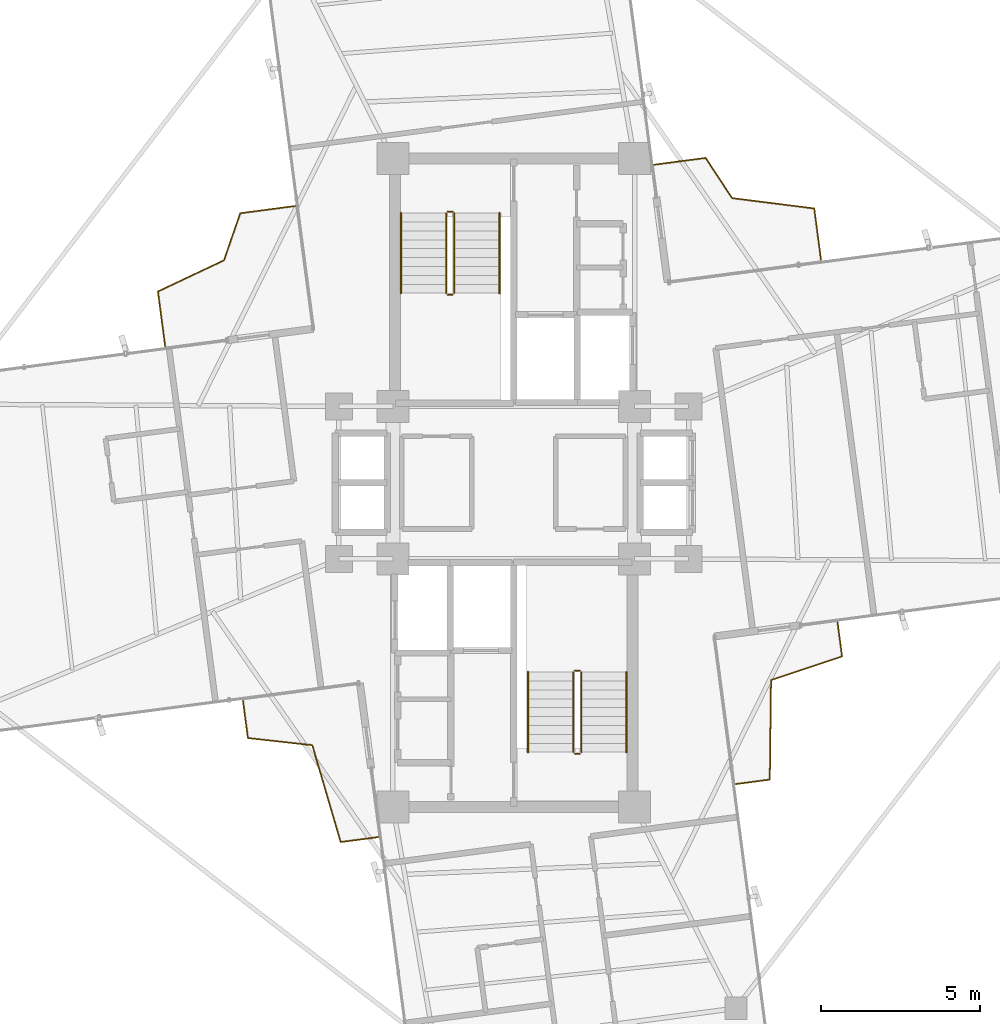
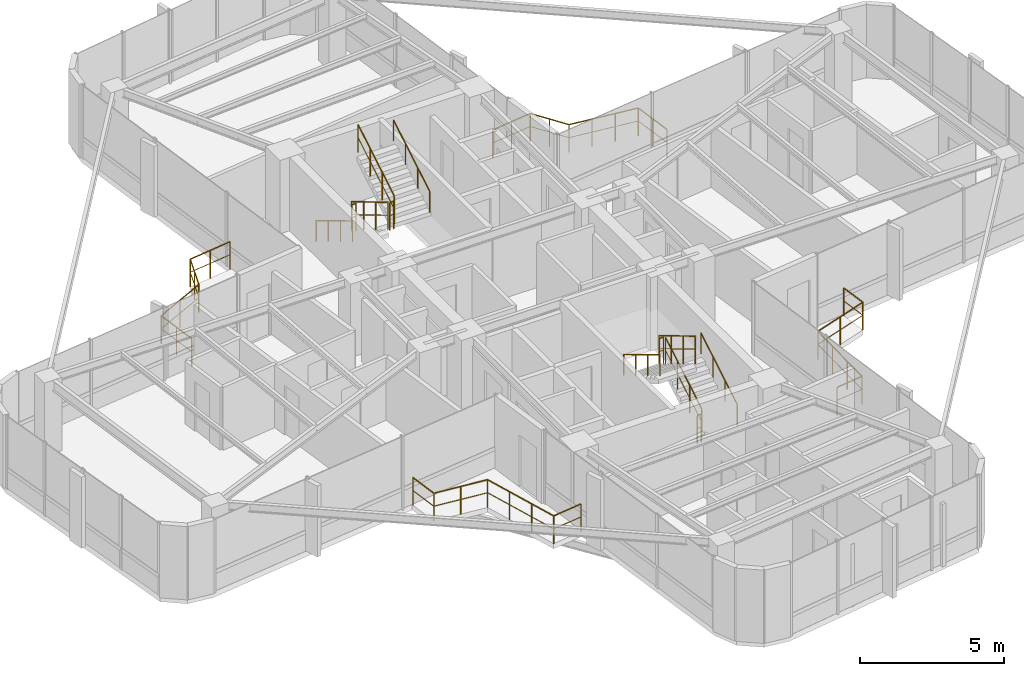
# One storey, part 22 of 22: 16 railings.
"""IFC4 building model written with IfcOpenShell, lengths in metres."""

from ifc_helpers import new_model, si_unit, direction, frame, origin, origin_2d, place, context, subcontext, project, spatial, circle, extrude, material, type_object, element, save


model = new_model("IFC4")

# Units and contexts
model_context = context("Model", 3, precision=1e-05, world=origin(), true_north=direction((0.0, 1.0)))
body_context = subcontext(model_context, "Body", "Model", "MODEL_VIEW")
ifc_project = project(units=[si_unit("LENGTHUNIT", "METRE"), si_unit("AREAUNIT", "SQUARE_METRE"), si_unit("VOLUMEUNIT", "CUBIC_METRE"), si_unit("PLANEANGLEUNIT", "RADIAN"), si_unit("MASSUNIT", "GRAM", prefix="KILO")], contexts=[model_context])

# Site, building, storey
site_placement = place(None, origin())
site = spatial("IfcSite", under=ifc_project, at=site_placement, CompositionType="ELEMENT")
building_placement = place(site_placement, origin())
building = spatial("IfcBuilding", under=site, at=building_placement, Name="Sahyath Konkavel Grand Hotel", CompositionType="ELEMENT")
storey_placement = place(building_placement, frame((0.0, 0.0, 241.14990234375)))
storey = spatial("IfcBuildingStorey", under=building, at=storey_placement, Name="L67", CompositionType="ELEMENT", Elevation=241.14990234375)

# Railings
ifc_material_1 = material(Name="Anodised Bronze Aluminium", Category="aluminium")
railing_type_1 = type_object("IfcRailingType", Name="RLG-BALC-1200", PredefinedType="GUARDRAIL", material=ifc_material_1)
railing_1_placement = place(storey_placement, frame((9.668701171875, 7.0029296875, 0.0)))
element("IfcRailing", 1, at=railing_1_placement, inside=storey, type_object=railing_type_1, Name="L67 Winter-Garden Guard NE", PredefinedType="GUARDRAIL", context=body_context, shape_type="SweptSolid", body=[
    extrude(circle(Radius=0.02392578125, at=origin_2d()), frame((-0.000244140625, 0.001953125, 1.17578125), z_axis=(-0.130523890002, 0.991445164464, 0.0), x_axis=(-0.991445164464, -0.130523890002, 0.0)), (0.0, 0.0, 1.0), 1.634521484375),
    extrude(circle(Radius=0.01416015625, at=origin_2d()), frame((-0.000244140625, 0.001953125, 0.6240234375), z_axis=(-0.130523890002, 0.991445164464, 0.0), x_axis=(-0.991445164464, -0.130523890002, 0.0)), (0.0, 0.0, 1.0), 1.634521484375),
    extrude(circle(Radius=0.02392578125, at=origin_2d()), frame((-0.2158203125, 1.624755859375, 1.17578125), z_axis=(-0.992143214765, 0.125107319516, 0.0), x_axis=(-0.125107319516, -0.992143214765, 0.0)), (0.0, 0.0, 1.0), 2.60107421875),
    extrude(circle(Radius=0.01416015625, at=origin_2d()), frame((-0.2158203125, 1.624755859375, 0.6240234375), z_axis=(-0.992143214765, 0.125107319516, 0.0), x_axis=(-0.125107319516, -0.992143214765, 0.0)), (0.0, 0.0, 1.0), 2.60107421875),
    extrude(circle(Radius=0.02392578125, at=origin_2d()), frame((-2.7998046875, 1.9521484375, 1.17578125), z_axis=(-0.550001545272, 0.835163636779, 0.0), x_axis=(-0.835163636779, -0.550001545272, 0.0)), (0.0, 0.0, 1.0), 1.509765625),
    extrude(circle(Radius=0.01416015625, at=origin_2d()), frame((-2.7998046875, 1.9521484375, 0.6240234375), z_axis=(-0.550001545272, 0.835163636779, 0.0), x_axis=(-0.835163636779, -0.550001545272, 0.0)), (0.0, 0.0, 1.0), 1.509765625),
    extrude(circle(Radius=0.02392578125, at=origin_2d()), frame((-3.633056640625, 3.21435546875, 1.17578125), z_axis=(-0.991445164464, -0.130523890002, 0.0), x_axis=(0.130523890002, -0.991445164464, 0.0)), (0.0, 0.0, 1.0), 1.634521484375),
    extrude(circle(Radius=0.01416015625, at=origin_2d()), frame((-3.633056640625, 3.21435546875, 0.6240234375), z_axis=(-0.991445164464, -0.130523890002, 0.0), x_axis=(0.130523890002, -0.991445164464, 0.0)), (0.0, 0.0, 1.0), 1.634521484375),
    extrude(circle(Radius=0.02099609375, at=origin_2d()), origin(), (0.0, 0.0, 1.0), 1.15185546875),
    extrude(circle(Radius=0.02099609375, at=origin_2d()), frame((-0.10693359375, 0.812255859375, 0.0)), (0.0, 0.0, 1.0), 1.15185546875),
    extrude(circle(Radius=0.02099609375, at=origin_2d()), frame((-0.2138671875, 1.62451171875, 0.0)), (0.0, 0.0, 1.0), 1.15185546875),
    extrude(circle(Radius=0.02099609375, at=origin_2d()), frame((-1.075439453125, 1.733154296875, 0.0)), (0.0, 0.0, 1.0), 1.15185546875),
    extrude(circle(Radius=0.02099609375, at=origin_2d()), frame((-1.93701171875, 1.841796875, 0.0)), (0.0, 0.0, 1.0), 1.15185546875),
    extrude(circle(Radius=0.02099609375, at=origin_2d()), frame((-2.798583984375, 1.950439453125, 0.0)), (0.0, 0.0, 1.0), 1.15185546875),
    extrude(circle(Radius=0.02099609375, at=origin_2d()), frame((-3.21484375, 2.58251953125, 0.0)), (0.0, 0.0, 1.0), 1.15185546875),
    extrude(circle(Radius=0.02099609375, at=origin_2d()), frame((-3.631103515625, 3.214599609375, 0.0)), (0.0, 0.0, 1.0), 1.15185546875),
    extrude(circle(Radius=0.02099609375, at=origin_2d()), frame((-4.443359375, 3.107666015625, 0.0)), (0.0, 0.0, 1.0), 1.15185546875),
    extrude(circle(Radius=0.02099609375, at=origin_2d()), frame((-5.255615234375, 3.000732421875, 0.0)), (0.0, 0.0, 1.0), 1.15185546875),
])
railing_2_placement = place(storey_placement, frame((-6.8759765625, 8.705078125, 0.0)))
element("IfcRailing", 2, at=railing_2_placement, inside=storey, type_object=railing_type_1, Name="L67 Winter-Garden Guard NW", PredefinedType="GUARDRAIL", context=body_context, shape_type="SweptSolid", body=[
    extrude(circle(Radius=0.02392578125, at=origin_2d()), frame((-0.001953125, -0.000244140625, 1.17578125), z_axis=(-0.9914309283, -0.130631980808, 0.0), x_axis=(0.130631980808, -0.9914309283, 0.0)), (0.0, 0.0, 1.0), 1.73974609375),
    extrude(circle(Radius=0.01416015625, at=origin_2d()), frame((-0.001953125, -0.000244140625, 0.6240234375), z_axis=(-0.9914309283, -0.130631980808, 0.0), x_axis=(0.130631980808, -0.9914309283, 0.0)), (0.0, 0.0, 1.0), 1.73974609375),
    extrude(circle(Radius=0.02392578125, at=origin_2d()), frame((-1.7294921875, -0.229736328125, 1.17578125), z_axis=(-0.326907286344, -0.945056414261, 0.0), x_axis=(0.945056414261, -0.326907286344, 0.0)), (0.0, 0.0, 1.0), 1.5634765625),
    extrude(circle(Radius=0.01416015625, at=origin_2d()), frame((-1.7294921875, -0.229736328125, 0.6240234375), z_axis=(-0.326907286344, -0.945056414261, 0.0), x_axis=(0.945056414261, -0.326907286344, 0.0)), (0.0, 0.0, 1.0), 1.5634765625),
    extrude(circle(Radius=0.02392578125, at=origin_2d()), frame((-2.242919921875, -1.7099609375, 1.17578125), z_axis=(-0.904273718556, -0.426953208127, 0.0), x_axis=(0.426953208127, -0.904273718556, 0.0)), (0.0, 0.0, 1.0), 2.29345703125),
    extrude(circle(Radius=0.01416015625, at=origin_2d()), frame((-2.242919921875, -1.7099609375, 0.6240234375), z_axis=(-0.904273718556, -0.426953208127, 0.0), x_axis=(0.426953208127, -0.904273718556, 0.0)), (0.0, 0.0, 1.0), 2.29345703125),
    extrude(circle(Radius=0.02392578125, at=origin_2d()), frame((-4.318603515625, -2.692138671875, 1.17578125), z_axis=(0.130494353472, -0.991449052504, 0.0), x_axis=(0.991449052504, 0.130494353472, 0.0)), (0.0, 0.0, 1.0), 1.73974609375),
    extrude(circle(Radius=0.01416015625, at=origin_2d()), frame((-4.318603515625, -2.692138671875, 0.6240234375), z_axis=(0.130494353472, -0.991449052504, 0.0), x_axis=(0.991449052504, 0.130494353472, 0.0)), (0.0, 0.0, 1.0), 1.73974609375),
    extrude(circle(Radius=0.02099609375, at=origin_2d()), origin(), (0.0, 0.0, 1.0), 1.15185546875),
    extrude(circle(Radius=0.02099609375, at=origin_2d()), frame((-0.8642578125, -0.11376953125, 0.0)), (0.0, 0.0, 1.0), 1.15185546875),
    extrude(circle(Radius=0.02099609375, at=origin_2d()), frame((-1.728759765625, -0.227783203125, 0.0)), (0.0, 0.0, 1.0), 1.15185546875),
    extrude(circle(Radius=0.02099609375, at=origin_2d()), frame((-1.98486328125, -0.968505859375, 0.0)), (0.0, 0.0, 1.0), 1.15185546875),
    extrude(circle(Radius=0.02099609375, at=origin_2d()), frame((-2.2412109375, -1.709228515625, 0.0)), (0.0, 0.0, 1.0), 1.15185546875),
    extrude(circle(Radius=0.02099609375, at=origin_2d()), frame((-3.280029296875, -2.19970703125, 0.0)), (0.0, 0.0, 1.0), 1.15185546875),
    extrude(circle(Radius=0.02099609375, at=origin_2d()), frame((-4.31884765625, -2.690185546875, 0.0)), (0.0, 0.0, 1.0), 1.15185546875),
    extrude(circle(Radius=0.02099609375, at=origin_2d()), frame((-4.205078125, -3.5546875, 0.0)), (0.0, 0.0, 1.0), 1.15185546875),
    extrude(circle(Radius=0.02099609375, at=origin_2d()), frame((-4.09130859375, -4.4189453125, 0.0)), (0.0, 0.0, 1.0), 1.15185546875),
])
railing_3_placement = place(storey_placement, frame((-8.5205078125, -6.851806640625, 0.0)))
element("IfcRailing", 3, at=railing_3_placement, inside=storey, type_object=railing_type_1, Name="L67 Winter-Garden Guard SW", PredefinedType="GUARDRAIL", context=body_context, shape_type="SweptSolid", body=[
    extrude(circle(Radius=0.02392578125, at=origin_2d()), frame((0.000244140625, -0.001953125, 1.17578125), z_axis=(0.130502133721, -0.991448028438, 0.0), x_axis=(0.991448028438, 0.130502133721, 0.0)), (0.0, 0.0, 1.0), 1.189453125),
    extrude(circle(Radius=0.01416015625, at=origin_2d()), frame((0.000244140625, -0.001953125, 0.6240234375), z_axis=(0.130502133721, -0.991448028438, 0.0), x_axis=(0.991448028438, 0.130502133721, 0.0)), (0.0, 0.0, 1.0), 1.189453125),
    extrude(circle(Radius=0.02392578125, at=origin_2d()), frame((0.15771484375, -1.18359375, 1.17578125), z_axis=(0.993901244023, -0.110273827942, 0.0), x_axis=(0.110273827942, 0.993901244023, 0.0)), (0.0, 0.0, 1.0), 2.03515625),
    extrude(circle(Radius=0.01416015625, at=origin_2d()), frame((0.15771484375, -1.18359375, 0.6240234375), z_axis=(0.993901244023, -0.110273827942, 0.0), x_axis=(0.110273827942, 0.993901244023, 0.0)), (0.0, 0.0, 1.0), 2.03515625),
    extrude(circle(Radius=0.02392578125, at=origin_2d()), frame((2.182861328125, -1.41015625, 1.17578125), z_axis=(0.281142267956, -0.959666100875, 0.0), x_axis=(0.959666100875, 0.281142267956, 0.0)), (0.0, 0.0, 1.0), 3.171630859375),
    extrude(circle(Radius=0.01416015625, at=origin_2d()), frame((2.182861328125, -1.41015625, 0.6240234375), z_axis=(0.281142267956, -0.959666100875, 0.0), x_axis=(0.959666100875, 0.281142267956, 0.0)), (0.0, 0.0, 1.0), 3.171630859375),
    extrude(circle(Radius=0.02392578125, at=origin_2d()), frame((3.0771484375, -4.45556640625, 1.17578125), z_axis=(0.991421542991, 0.130703190834, 0.0), x_axis=(-0.130703190834, 0.991421542991, 0.0)), (0.0, 0.0, 1.0), 1.189697265625),
    extrude(circle(Radius=0.01416015625, at=origin_2d()), frame((3.0771484375, -4.45556640625, 0.6240234375), z_axis=(0.991421542991, 0.130703190834, 0.0), x_axis=(-0.130703190834, 0.991421542991, 0.0)), (0.0, 0.0, 1.0), 1.189697265625),
    extrude(circle(Radius=0.02099609375, at=origin_2d()), origin(), (0.0, 0.0, 1.0), 1.15185546875),
    extrude(circle(Radius=0.02099609375, at=origin_2d()), frame((0.15576171875, -1.183349609375, 0.0)), (0.0, 0.0, 1.0), 1.15185546875),
    extrude(circle(Radius=0.02099609375, at=origin_2d()), frame((1.1689453125, -1.2958984375, 0.0)), (0.0, 0.0, 1.0), 1.15185546875),
    extrude(circle(Radius=0.02099609375, at=origin_2d()), frame((2.182373046875, -1.408203125, 0.0)), (0.0, 0.0, 1.0), 1.15185546875),
    extrude(circle(Radius=0.02099609375, at=origin_2d()), frame((2.47998046875, -2.424072265625, 0.0)), (0.0, 0.0, 1.0), 1.15185546875),
    extrude(circle(Radius=0.02099609375, at=origin_2d()), frame((2.777587890625, -3.43994140625, 0.0)), (0.0, 0.0, 1.0), 1.15185546875),
    extrude(circle(Radius=0.02099609375, at=origin_2d()), frame((3.0751953125, -4.455810546875, 0.0)), (0.0, 0.0, 1.0), 1.15185546875),
    extrude(circle(Radius=0.02099609375, at=origin_2d()), frame((4.258544921875, -4.2998046875, 0.0)), (0.0, 0.0, 1.0), 1.15185546875),
])
railing_4_placement = place(storey_placement, frame((6.978515625, -9.484375, 0.0)))
element("IfcRailing", 4, at=railing_4_placement, inside=storey, type_object=railing_type_1, Name="L67 Winter-Garden Guard SE", PredefinedType="GUARDRAIL", context=body_context, shape_type="SweptSolid", body=[
    extrude(circle(Radius=0.02392578125, at=origin_2d()), frame((0.001953125, 0.000244140625, 1.17578125), z_axis=(0.991442075639, 0.130547350231, 0.0), x_axis=(-0.130547350231, 0.991442075639, 0.0)), (0.0, 0.0, 1.0), 1.08447265625),
    extrude(circle(Radius=0.01416015625, at=origin_2d()), frame((0.001953125, 0.000244140625, 0.6240234375), z_axis=(0.991442075639, 0.130547350231, 0.0), x_axis=(-0.130547350231, 0.991442075639, 0.0)), (0.0, 0.0, 1.0), 1.08447265625),
    extrude(circle(Radius=0.02392578125, at=origin_2d()), frame((1.0791015625, 0.14404296875, 1.17578125), z_axis=(0.012323557083, 0.999924062087, 0.0), x_axis=(-0.999924062087, 0.012323557083, 0.0)), (0.0, 0.0, 1.0), 3.126220703125),
    extrude(circle(Radius=0.01416015625, at=origin_2d()), frame((1.0791015625, 0.14404296875, 0.6240234375), z_axis=(0.012323557083, 0.999924062087, 0.0), x_axis=(-0.999924062087, 0.012323557083, 0.0)), (0.0, 0.0, 1.0), 3.126220703125),
    extrude(circle(Radius=0.02392578125, at=origin_2d()), frame((1.11962890625, 3.272705078125, 1.17578125), z_axis=(0.948683298051, 0.316227766017, 0.0), x_axis=(-0.316227766017, 0.948683298051, 0.0)), (0.0, 0.0, 1.0), 2.350830078125),
    extrude(circle(Radius=0.01416015625, at=origin_2d()), frame((1.11962890625, 3.272705078125, 0.6240234375), z_axis=(0.948683298051, 0.316227766017, 0.0), x_axis=(-0.316227766017, 0.948683298051, 0.0)), (0.0, 0.0, 1.0), 2.350830078125),
    extrude(circle(Radius=0.02392578125, at=origin_2d()), frame((3.351318359375, 4.0185546875, 1.17578125), z_axis=(-0.130547350231, 0.991442075639, 0.0), x_axis=(-0.991442075639, -0.130547350231, 0.0)), (0.0, 0.0, 1.0), 1.08447265625),
    extrude(circle(Radius=0.01416015625, at=origin_2d()), frame((3.351318359375, 4.0185546875, 0.6240234375), z_axis=(-0.130547350231, 0.991442075639, 0.0), x_axis=(-0.991442075639, -0.130547350231, 0.0)), (0.0, 0.0, 1.0), 1.08447265625),
    extrude(circle(Radius=0.02099609375, at=origin_2d()), origin(), (0.0, 0.0, 1.0), 1.15185546875),
    extrude(circle(Radius=0.02099609375, at=origin_2d()), frame((1.0791015625, 0.14208984375, 0.0)), (0.0, 0.0, 1.0), 1.15185546875),
    extrude(circle(Radius=0.02099609375, at=origin_2d()), frame((1.092041015625, 1.185302734375, 0.0)), (0.0, 0.0, 1.0), 1.15185546875),
    extrude(circle(Radius=0.02099609375, at=origin_2d()), frame((1.104736328125, 2.228759765625, 0.0)), (0.0, 0.0, 1.0), 1.15185546875),
    extrude(circle(Radius=0.02099609375, at=origin_2d()), frame((1.11767578125, 3.27197265625, 0.0)), (0.0, 0.0, 1.0), 1.15185546875),
    extrude(circle(Radius=0.02099609375, at=origin_2d()), frame((2.234619140625, 3.644287109375, 0.0)), (0.0, 0.0, 1.0), 1.15185546875),
    extrude(circle(Radius=0.02099609375, at=origin_2d()), frame((3.3515625, 4.0166015625, 0.0)), (0.0, 0.0, 1.0), 1.15185546875),
    extrude(circle(Radius=0.02099609375, at=origin_2d()), frame((3.20947265625, 5.095703125, 0.0)), (0.0, 0.0, 1.0), 1.15185546875),
])
ifc_material_2 = material(Name="Steel E350", Category="steel")
railing_type_2 = type_object("IfcRailingType", Name="RLG-STAIR-GRD", PredefinedType="GUARDRAIL", material=ifc_material_2)
railing_5_placement = place(storey_placement, frame((-2.1298828125, 8.47998046875, 0.16748046875)))
element("IfcRailing", 5, at=railing_5_placement, inside=storey, type_object=railing_type_2, Name="L67 ST-1 stair guard 1", PredefinedType="GUARDRAIL", context=body_context, shape_type="SweptSolid", body=[
    extrude(circle(Radius=0.02392578125, at=origin_2d()), frame((0.0, -0.001708984375, 1.177001953125), z_axis=(0.0, -0.858159760407, 0.513382728203), x_axis=(1.0, 0.0, 0.0)), (0.0, 0.0, 1.0), 2.9326171875),
    extrude(circle(Radius=0.01416015625, at=origin_2d()), frame((0.0, -0.001708984375, 0.625), z_axis=(0.0, -0.858159760407, 0.513382728203), x_axis=(1.0, 0.0, 0.0)), (0.0, 0.0, 1.0), 2.9326171875),
    extrude(circle(Radius=0.02099609375, at=origin_2d()), origin(), (0.0, 0.0, 1.0), 1.15185546875),
    extrude(circle(Radius=0.02099609375, at=origin_2d()), frame((0.0, -0.840087890625, 0.50244140625)), (0.0, 0.0, 1.0), 1.15185546875),
    extrude(circle(Radius=0.02099609375, at=origin_2d()), frame((0.0, -1.679931640625, 1.005126953125)), (0.0, 0.0, 1.0), 1.15185546875),
    extrude(circle(Radius=0.02099609375, at=origin_2d()), frame((0.0, -2.52001953125, 1.507568359375)), (0.0, 0.0, 1.0), 1.15185546875),
])
railing_6_placement = place(storey_placement, frame((-2.080078125, 5.909912109375, 1.675048828125)))
element("IfcRailing", 6, at=railing_6_placement, inside=storey, type_object=railing_type_2, Name="L67 ST-1 stair guard 2", PredefinedType="GUARDRAIL", context=body_context, shape_type="SweptSolid", body=[
    extrude(circle(Radius=0.02392578125, at=origin_2d()), frame((0.001953125, 0.0, 1.17578125), z_axis=(1.0, 0.0, 0.0), x_axis=(0.0, 1.0, 0.0)), (0.0, 0.0, 1.0), 0.15625),
    extrude(circle(Radius=0.01416015625, at=origin_2d()), frame((0.001953125, 0.0, 0.6240234375), z_axis=(1.0, 0.0, 0.0), x_axis=(0.0, 1.0, 0.0)), (0.0, 0.0, 1.0), 0.15625),
    extrude(circle(Radius=0.02099609375, at=origin_2d()), origin(), (0.0, 0.0, 1.0), 1.15185546875),
    extrude(circle(Radius=0.02099609375, at=origin_2d()), frame((0.16015625, 0.0, 0.0)), (0.0, 0.0, 1.0), 1.15185546875),
])
railing_7_placement = place(storey_placement, frame((-1.8701171875, 5.9599609375, 1.842529296875)))
element("IfcRailing", 7, at=railing_7_placement, inside=storey, type_object=railing_type_2, Name="L67 ST-1 stair guard 3", PredefinedType="GUARDRAIL", context=body_context, shape_type="SweptSolid", body=[
    extrude(circle(Radius=0.02392578125, at=origin_2d()), frame((0.0, 0.001708984375, 1.177001953125), z_axis=(0.0, 0.858159760407, 0.513382728203), x_axis=(-1.0, 0.0, 0.0)), (0.0, 0.0, 1.0), 2.9326171875),
    extrude(circle(Radius=0.01416015625, at=origin_2d()), frame((0.0, 0.001708984375, 0.625), z_axis=(0.0, 0.858159760407, 0.513382728203), x_axis=(-1.0, 0.0, 0.0)), (0.0, 0.0, 1.0), 2.9326171875),
    extrude(circle(Radius=0.02099609375, at=origin_2d()), origin(), (0.0, 0.0, 1.0), 1.15185546875),
    extrude(circle(Radius=0.02099609375, at=origin_2d()), frame((0.0, 0.840087890625, 0.50244140625)), (0.0, 0.0, 1.0), 1.15185546875),
    extrude(circle(Radius=0.02099609375, at=origin_2d()), frame((0.0, 1.679931640625, 1.005126953125)), (0.0, 0.0, 1.0), 1.15185546875),
    extrude(circle(Radius=0.02099609375, at=origin_2d()), frame((0.0, 2.52001953125, 1.507568359375)), (0.0, 0.0, 1.0), 1.15185546875),
])
railing_8_placement = place(storey_placement, frame((-2.080078125, 8.530029296875, 0.0)))
element("IfcRailing", 8, at=railing_8_placement, inside=storey, type_object=railing_type_2, Name="L67 ST-1 stair guard 4", PredefinedType="GUARDRAIL", context=body_context, shape_type="SweptSolid", body=[
    extrude(circle(Radius=0.02392578125, at=origin_2d()), frame((0.001953125, 0.0, 1.17578125), z_axis=(1.0, 0.0, 0.0), x_axis=(0.0, 1.0, 0.0)), (0.0, 0.0, 1.0), 0.15625),
    extrude(circle(Radius=0.01416015625, at=origin_2d()), frame((0.001953125, 0.0, 0.6240234375), z_axis=(1.0, 0.0, 0.0), x_axis=(0.0, 1.0, 0.0)), (0.0, 0.0, 1.0), 0.15625),
    extrude(circle(Radius=0.02099609375, at=origin_2d()), origin(), (0.0, 0.0, 1.0), 1.15185546875),
    extrude(circle(Radius=0.02099609375, at=origin_2d()), frame((0.16015625, 0.0, 0.0)), (0.0, 0.0, 1.0), 1.15185546875),
])
railing_9_placement = place(storey_placement, frame((2.1298828125, -8.47998046875, 0.16748046875)))
element("IfcRailing", 9, at=railing_9_placement, inside=storey, type_object=railing_type_2, Name="L67 ST-2 stair guard 1", PredefinedType="GUARDRAIL", context=body_context, shape_type="SweptSolid", body=[
    extrude(circle(Radius=0.02392578125, at=origin_2d()), frame((0.0, 0.001708984375, 1.177001953125), z_axis=(0.0, 0.858159760407, 0.513382728203), x_axis=(-1.0, 0.0, 0.0)), (0.0, 0.0, 1.0), 2.9326171875),
    extrude(circle(Radius=0.01416015625, at=origin_2d()), frame((0.0, 0.001708984375, 0.625), z_axis=(0.0, 0.858159760407, 0.513382728203), x_axis=(-1.0, 0.0, 0.0)), (0.0, 0.0, 1.0), 2.9326171875),
    extrude(circle(Radius=0.02099609375, at=origin_2d()), origin(), (0.0, 0.0, 1.0), 1.15185546875),
    extrude(circle(Radius=0.02099609375, at=origin_2d()), frame((0.0, 0.840087890625, 0.50244140625)), (0.0, 0.0, 1.0), 1.15185546875),
    extrude(circle(Radius=0.02099609375, at=origin_2d()), frame((0.0, 1.679931640625, 1.005126953125)), (0.0, 0.0, 1.0), 1.15185546875),
    extrude(circle(Radius=0.02099609375, at=origin_2d()), frame((0.0, 2.52001953125, 1.507568359375)), (0.0, 0.0, 1.0), 1.15185546875),
])
railing_10_placement = place(storey_placement, frame((2.080078125, -5.909912109375, 1.675048828125)))
element("IfcRailing", 10, at=railing_10_placement, inside=storey, type_object=railing_type_2, Name="L67 ST-2 stair guard 2", PredefinedType="GUARDRAIL", context=body_context, shape_type="SweptSolid", body=[
    extrude(circle(Radius=0.02392578125, at=origin_2d()), frame((-0.001953125, 0.0, 1.17578125), z_axis=(-1.0, 0.0, 0.0), x_axis=(0.0, -1.0, 0.0)), (0.0, 0.0, 1.0), 0.15625),
    extrude(circle(Radius=0.01416015625, at=origin_2d()), frame((-0.001953125, 0.0, 0.6240234375), z_axis=(-1.0, 0.0, 0.0), x_axis=(0.0, -1.0, 0.0)), (0.0, 0.0, 1.0), 0.15625),
    extrude(circle(Radius=0.02099609375, at=origin_2d()), origin(), (0.0, 0.0, 1.0), 1.15185546875),
    extrude(circle(Radius=0.02099609375, at=origin_2d()), frame((-0.16015625, 0.0, 0.0)), (0.0, 0.0, 1.0), 1.15185546875),
])
railing_11_placement = place(storey_placement, frame((1.8701171875, -5.9599609375, 1.842529296875)))
element("IfcRailing", 11, at=railing_11_placement, inside=storey, type_object=railing_type_2, Name="L67 ST-2 stair guard 3", PredefinedType="GUARDRAIL", context=body_context, shape_type="SweptSolid", body=[
    extrude(circle(Radius=0.02392578125, at=origin_2d()), frame((0.0, -0.001708984375, 1.177001953125), z_axis=(0.0, -0.858159760407, 0.513382728203), x_axis=(1.0, 0.0, 0.0)), (0.0, 0.0, 1.0), 2.9326171875),
    extrude(circle(Radius=0.01416015625, at=origin_2d()), frame((0.0, -0.001708984375, 0.625), z_axis=(0.0, -0.858159760407, 0.513382728203), x_axis=(1.0, 0.0, 0.0)), (0.0, 0.0, 1.0), 2.9326171875),
    extrude(circle(Radius=0.02099609375, at=origin_2d()), origin(), (0.0, 0.0, 1.0), 1.15185546875),
    extrude(circle(Radius=0.02099609375, at=origin_2d()), frame((0.0, -0.840087890625, 0.50244140625)), (0.0, 0.0, 1.0), 1.15185546875),
    extrude(circle(Radius=0.02099609375, at=origin_2d()), frame((0.0, -1.679931640625, 1.005126953125)), (0.0, 0.0, 1.0), 1.15185546875),
    extrude(circle(Radius=0.02099609375, at=origin_2d()), frame((0.0, -2.52001953125, 1.507568359375)), (0.0, 0.0, 1.0), 1.15185546875),
])
railing_12_placement = place(storey_placement, frame((2.080078125, -8.530029296875, 0.0)))
element("IfcRailing", 12, at=railing_12_placement, inside=storey, type_object=railing_type_2, Name="L67 ST-2 stair guard 4", PredefinedType="GUARDRAIL", context=body_context, shape_type="SweptSolid", body=[
    extrude(circle(Radius=0.02392578125, at=origin_2d()), frame((-0.001953125, 0.0, 1.17578125), z_axis=(-1.0, 0.0, 0.0), x_axis=(0.0, -1.0, 0.0)), (0.0, 0.0, 1.0), 0.15625),
    extrude(circle(Radius=0.01416015625, at=origin_2d()), frame((-0.001953125, 0.0, 0.6240234375), z_axis=(-1.0, 0.0, 0.0), x_axis=(0.0, -1.0, 0.0)), (0.0, 0.0, 1.0), 0.15625),
    extrude(circle(Radius=0.02099609375, at=origin_2d()), origin(), (0.0, 0.0, 1.0), 1.15185546875),
    extrude(circle(Radius=0.02099609375, at=origin_2d()), frame((-0.16015625, 0.0, 0.0)), (0.0, 0.0, 1.0), 1.15185546875),
])
railing_type_3 = type_object("IfcRailingType", Name="RLG-STAIR-HND", PredefinedType="HANDRAIL", material=ifc_material_1)
railing_13_placement = place(storey_placement, frame((-3.550048828125, 8.47998046875, 0.16748046875)))
element("IfcRailing", 13, at=railing_13_placement, inside=storey, type_object=railing_type_3, Name="L67 ST-1 stair handrail 1", PredefinedType="HANDRAIL", context=body_context, shape_type="SweptSolid", body=[
    extrude(circle(Radius=0.02392578125, at=origin_2d()), frame((0.0, -0.001708984375, 0.876953125), z_axis=(0.0, -0.858159760407, 0.513382728203), x_axis=(1.0, 0.0, 0.0)), (0.0, 0.0, 1.0), 2.9326171875),
    extrude(circle(Radius=0.02099609375, at=origin_2d()), origin(), (0.0, 0.0, 1.0), 0.851806640625),
    extrude(circle(Radius=0.02099609375, at=origin_2d()), frame((0.0, -0.840087890625, 0.50244140625)), (0.0, 0.0, 1.0), 0.851806640625),
    extrude(circle(Radius=0.02099609375, at=origin_2d()), frame((0.0, -1.679931640625, 1.005126953125)), (0.0, 0.0, 1.0), 0.851806640625),
    extrude(circle(Radius=0.02099609375, at=origin_2d()), frame((0.0, -2.52001953125, 1.507568359375)), (0.0, 0.0, 1.0), 0.851806640625),
])
for number, where, name in (
    (14, (-0.449951171875, 5.9599609375, 1.842529296875), "L67 ST-1 stair handrail 2"),
    (15, (3.550048828125, -8.47998046875, 0.16748046875), "L67 ST-2 stair handrail 1"),
):
    element("IfcRailing", number, at=place(storey_placement, frame(where)), inside=storey, type_object=railing_type_3, Name=name, PredefinedType="HANDRAIL", context=body_context, shape_type="SweptSolid", body=[
        extrude(circle(Radius=0.02392578125, at=origin_2d()), frame((0.0, 0.001708984375, 0.876953125), z_axis=(0.0, 0.858159760407, 0.513382728203), x_axis=(-1.0, 0.0, 0.0)), (0.0, 0.0, 1.0), 2.9326171875),
        extrude(circle(Radius=0.02099609375, at=origin_2d()), origin(), (0.0, 0.0, 1.0), 0.851806640625),
        extrude(circle(Radius=0.02099609375, at=origin_2d()), frame((0.0, 0.840087890625, 0.50244140625)), (0.0, 0.0, 1.0), 0.851806640625),
        extrude(circle(Radius=0.02099609375, at=origin_2d()), frame((0.0, 1.679931640625, 1.005126953125)), (0.0, 0.0, 1.0), 0.851806640625),
        extrude(circle(Radius=0.02099609375, at=origin_2d()), frame((0.0, 2.52001953125, 1.507568359375)), (0.0, 0.0, 1.0), 0.851806640625),
    ])
railing_14_placement = place(storey_placement, frame((0.449951171875, -5.9599609375, 1.842529296875)))
element("IfcRailing", 16, at=railing_14_placement, inside=storey, type_object=railing_type_3, Name="L67 ST-2 stair handrail 2", PredefinedType="HANDRAIL", context=body_context, shape_type="SweptSolid", body=[
    extrude(circle(Radius=0.02392578125, at=origin_2d()), frame((0.0, -0.001708984375, 0.876953125), z_axis=(0.0, -0.858159760407, 0.513382728203), x_axis=(1.0, 0.0, 0.0)), (0.0, 0.0, 1.0), 2.9326171875),
    extrude(circle(Radius=0.02099609375, at=origin_2d()), origin(), (0.0, 0.0, 1.0), 0.851806640625),
    extrude(circle(Radius=0.02099609375, at=origin_2d()), frame((0.0, -0.840087890625, 0.50244140625)), (0.0, 0.0, 1.0), 0.851806640625),
    extrude(circle(Radius=0.02099609375, at=origin_2d()), frame((0.0, -1.679931640625, 1.005126953125)), (0.0, 0.0, 1.0), 0.851806640625),
    extrude(circle(Radius=0.02099609375, at=origin_2d()), frame((0.0, -2.52001953125, 1.507568359375)), (0.0, 0.0, 1.0), 0.851806640625),
])

save(model, "model.ifc")
